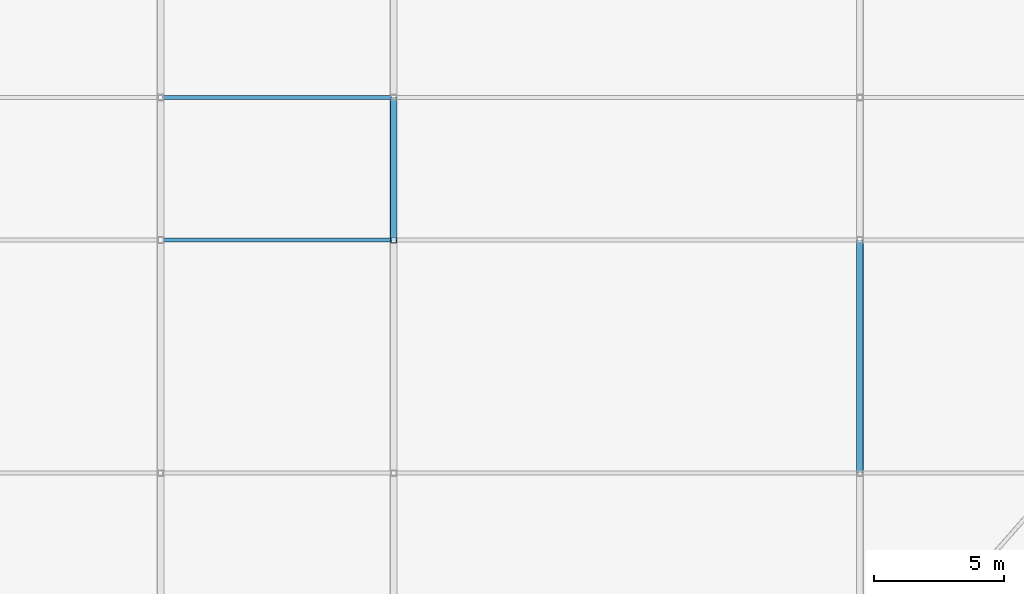
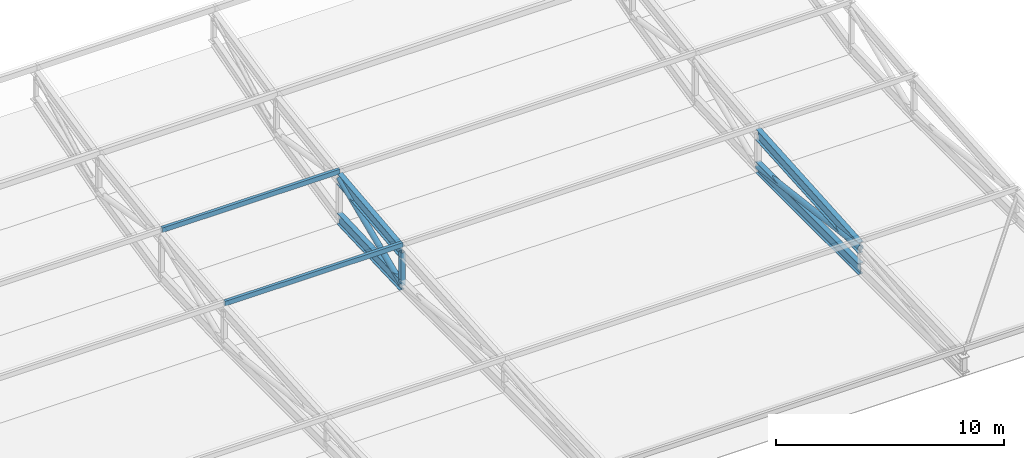
# One storey, part 41 of 114: 5 members, 4 beams.
"""IFC4 building model written with IfcOpenShell, lengths in metres."""

from ifc_helpers import new_model, si_unit, direction, frame, origin, origin_2d, place, context, subcontext, project, spatial, hollow_rectangle, hollow_circle, i_section, extrude, material, material_profile, profile_set, type_object, element, save


model = new_model("IFC4")

# Units and contexts
model_context = context("Model", 3, precision=1e-05, world=origin(), true_north=direction((0.0, 1.0)))
body_context = subcontext(model_context, "Body", "Model", "MODEL_VIEW")
ifc_project = project(units=[si_unit("LENGTHUNIT", "METRE"), si_unit("AREAUNIT", "SQUARE_METRE"), si_unit("VOLUMEUNIT", "CUBIC_METRE"), si_unit("PLANEANGLEUNIT", "RADIAN"), si_unit("MASSUNIT", "GRAM", prefix="KILO"), si_unit("THERMODYNAMICTEMPERATUREUNIT", "KELVIN"), si_unit("POWERUNIT", "WATT")], contexts=[model_context])

# Site, building, storey
site_placement = place(None, origin())
site = spatial("IfcSite", under=ifc_project, at=site_placement, CompositionType="ELEMENT")
building_placement = place(site_placement, origin())
building = spatial("IfcBuilding", under=site, at=building_placement, Name="Sindhuravela Promenade Stadium", CompositionType="ELEMENT")
storey_placement = place(building_placement, frame((0.0, 0.0, 24.0)))
storey = spatial("IfcBuildingStorey", under=building, at=storey_placement, Name="L05", CompositionType="ELEMENT", Elevation=24.0)

# Beams
ifc_material = material(Name="Steel E350 (IS 2062 E350BR)", Category="steel")
ifc_material_profile_1 = material_profile(ifc_material, i_section(OverallWidth=0.25, OverallDepth=0.60009765625, WebThickness=0.01171875, FlangeThickness=0.023681640625, FilletRadius=0.01708984375, at=origin_2d()), Name="ISWB 600")
ifc_profile_set_1 = profile_set([ifc_material_profile_1], Name="Steel E350 (IS 2062 E350BR)")
beam_type = type_object("IfcBeamType", Name="ST-BM-WB600", PredefinedType="USERDEFINED", material=ifc_profile_set_1)
beam_1_placement = place(storey_placement, frame((135.0, 27.0, 1.76318359375), z_axis=(0.0, 0.9943078180575428, 0.1065455909441987), x_axis=(-1.0, 0.0, 0.0)))
element("IfcBeam", 1, at=beam_1_placement, inside=storey, type_object=beam_type, Name="Roof truss RT-S07 top chord 3", ObjectType="ROOF TRUSS", PredefinedType="USERDEFINED", context=body_context, shape_type="SweptSolid", body=[
    extrude(i_section(OverallWidth=0.25, OverallDepth=0.60009765625, WebThickness=0.01171875, FlangeThickness=0.023681640625, FilletRadius=0.01708984375, at=origin_2d()), origin(), (0.0, 0.0, 1.0), 5.531494140625),
])
beam_2_placement = place(storey_placement, frame((135.0, 27.0, 0.0), z_axis=(0.0, 0.9991453279387894, 0.04133538022189949), x_axis=(-1.0, 0.0, 0.0)))
element("IfcBeam", 2, at=beam_2_placement, inside=storey, type_object=beam_type, Name="Roof truss RT-S07 bottom chord 3", ObjectType="ROOF TRUSS", PredefinedType="USERDEFINED", context=body_context, shape_type="SweptSolid", body=[
    extrude(i_section(OverallWidth=0.25, OverallDepth=0.60009765625, WebThickness=0.01171875, FlangeThickness=0.023681640625, FilletRadius=0.01708984375, at=origin_2d()), origin(), (0.0, 0.0, 1.0), 5.504638671875),
])
beam_3_placement = place(storey_placement, frame((153.0, 18.0, 1.127197265625), z_axis=(0.0, 0.9975125305940163, 0.07048937017679613), x_axis=(-1.0, 0.0, 0.0)))
element("IfcBeam", 3, at=beam_3_placement, inside=storey, type_object=beam_type, Name="Roof truss RT-S08 top chord 2", ObjectType="ROOF TRUSS", PredefinedType="USERDEFINED", context=body_context, shape_type="SweptSolid", body=[
    extrude(i_section(OverallWidth=0.25, OverallDepth=0.60009765625, WebThickness=0.01171875, FlangeThickness=0.023681640625, FilletRadius=0.01708984375, at=origin_2d()), origin(), (0.0, 0.0, 1.0), 9.0224609375),
])
beam_4_placement = place(storey_placement, frame((153.0, 18.0, 0.0), z_axis=(0.0, 1.0, 0.0), x_axis=(-1.0, 0.0, 0.0)))
element("IfcBeam", 4, at=beam_4_placement, inside=storey, type_object=beam_type, Name="Roof truss RT-S08 bottom chord 2", ObjectType="ROOF TRUSS", PredefinedType="USERDEFINED", context=body_context, shape_type="SweptSolid", body=[
    extrude(i_section(OverallWidth=0.25, OverallDepth=0.60009765625, WebThickness=0.01171875, FlangeThickness=0.023681640625, FilletRadius=0.01708984375, at=origin_2d()), origin(), (0.0, 0.0, 1.0), 9.0),
])

# Members
ifc_material_profile_2 = material_profile(ifc_material, hollow_circle(Radius=0.136474609375, WallThickness=0.010009765625, at=origin_2d()), Name="CHS 273.0x10")
ifc_profile_set_2 = profile_set([ifc_material_profile_2], Name="Steel E350 (IS 2062 E350BR)")
member_type_1 = type_object("IfcMemberType", Name="ST-MB-CHS273", PredefinedType="BRACE", material=ifc_profile_set_2)
member_1_placement = place(storey_placement, frame((135.0, 27.0, 0.0), z_axis=(0.0, 0.9194234507496676, 0.3932690150667524), x_axis=(-1.0, 0.0, 0.0)))
element("IfcMember", 5, at=member_1_placement, inside=storey, type_object=member_type_1, Name="Roof truss RT-S07 diagonal web 3", PredefinedType="BRACE", context=body_context, shape_type="SweptSolid", body=[
    extrude(hollow_circle(Radius=0.136474609375, WallThickness=0.010009765625, at=origin_2d()), origin(), (0.0, 0.0, 1.0), 5.98193359375),
])
member_2_placement = place(storey_placement, frame((153.0, 18.0, 1.127197265625), z_axis=(0.0, 0.9922480329009012, -0.12427325216752011), x_axis=(-1.0, 0.0, 0.0)))
element("IfcMember", 6, at=member_2_placement, inside=storey, type_object=member_type_1, Name="Roof truss RT-S08 diagonal web 2", PredefinedType="BRACE", context=body_context, shape_type="SweptSolid", body=[
    extrude(hollow_circle(Radius=0.136474609375, WallThickness=0.010009765625, at=origin_2d()), origin(), (0.0, 0.0, 1.0), 9.0703125),
])
ifc_material_profile_3 = material_profile(ifc_material, hollow_rectangle(XDim=0.14990234375, YDim=0.25, WallThickness=0.010009765625, at=origin_2d()), Name="RHS 250x150x10")
ifc_profile_set_3 = profile_set([ifc_material_profile_3], Name="Steel E350 (IS 2062 E350BR)")
member_type_2 = type_object("IfcMemberType", Name="ST-MB-RHS250", PredefinedType="PURLIN", material=ifc_profile_set_3)
for number, where, z_axis, x_axis, name in (
    (7, (126.0, 27.0, 2.1552734375), (1.0, 0.0, 0.0), (0.0, 1.0, 0.0), "Roof purlin PR01 S bay 6.3"),
    (8, (126.0, 32.5, 2.744384765625), (1.0, 0.0, 0.0), (0.0, 1.0, 0.0), "Roof purlin PR01 S bay 6.4"),
):
    element("IfcMember", number, at=place(storey_placement, frame(where, z_axis=z_axis, x_axis=x_axis)), inside=storey, type_object=member_type_2, Name=name, PredefinedType="PURLIN", context=body_context, shape_type="SweptSolid", body=[
        extrude(hollow_rectangle(XDim=0.14990234375, YDim=0.25, WallThickness=0.010009765625, at=origin_2d()), origin(), (0.0, 0.0, 1.0), 9.0),
    ])
ifc_material_profile_4 = material_profile(ifc_material, hollow_rectangle(XDim=0.219970703125, YDim=0.219970703125, WallThickness=0.011962890625, at=origin_2d()), Name="SHS 220x220x12")
ifc_profile_set_4 = profile_set([ifc_material_profile_4], Name="Steel E350 (IS 2062 E350BR)")
member_type_3 = type_object("IfcMemberType", Name="ST-MB-SHS220", PredefinedType="POST", material=ifc_profile_set_4)
member_3_placement = place(storey_placement, frame((135.0, 27.0, 0.0), z_axis=(0.0, 0.0, 1.0), x_axis=(1.0, 0.0, 0.0)))
element("IfcMember", 9, at=member_3_placement, inside=storey, type_object=member_type_3, Name="Roof truss RT-S07 vertical post 3", PredefinedType="POST", context=body_context, shape_type="SweptSolid", body=[
    extrude(hollow_rectangle(XDim=0.219970703125, YDim=0.219970703125, WallThickness=0.011962890625, at=origin_2d()), origin(), (0.0, 0.0, 1.0), 1.76318359375),
])

save(model, "model.ifc")
